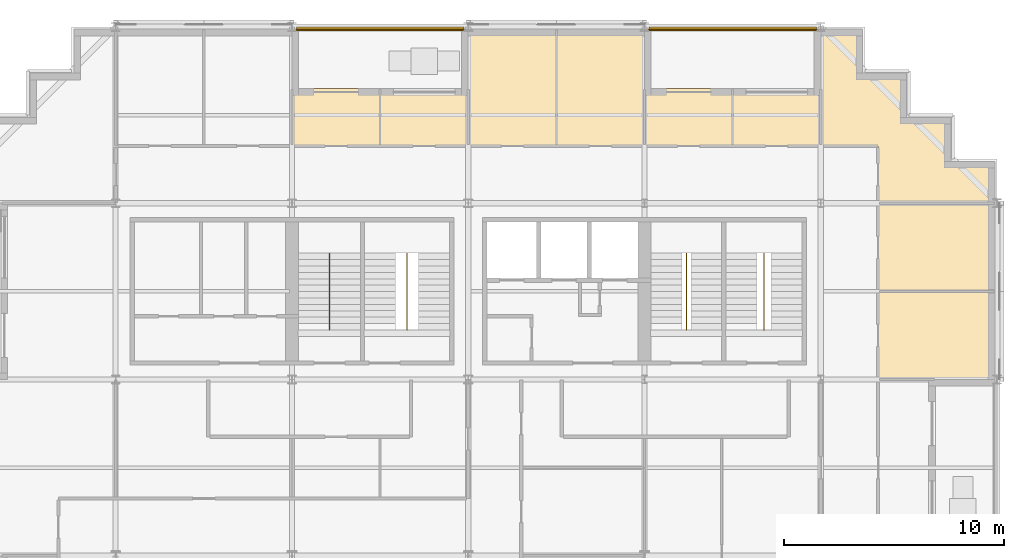
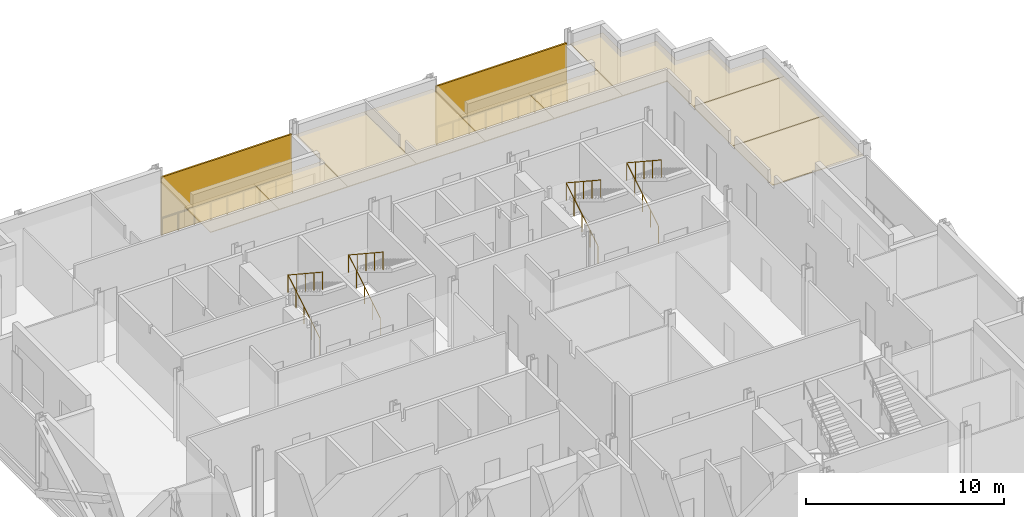
# One storey, part 14 of 15: 9 coverings, 6 railings, 2 shading devices.
"""IFC4 building model written with IfcOpenShell, lengths in metres."""

from ifc_helpers import new_model, si_unit, direction, frame, origin, origin_2d, place, context, subcontext, project, spatial, polyline, rectangle, circle, outline, extrude, material, layer, layer_set, type_object, element, save


model = new_model("IFC4")

# Units and contexts
model_context = context("Model", 3, precision=1e-05, world=origin(), true_north=direction((0.0, 1.0)))
body_context = subcontext(model_context, "Body", "Model", "MODEL_VIEW")
ifc_project = project(units=[si_unit("LENGTHUNIT", "METRE"), si_unit("AREAUNIT", "SQUARE_METRE"), si_unit("VOLUMEUNIT", "CUBIC_METRE"), si_unit("PLANEANGLEUNIT", "RADIAN"), si_unit("MASSUNIT", "GRAM", prefix="KILO")], contexts=[model_context])

# Site, building, storey
site_placement = place(None, origin())
site = spatial("IfcSite", under=ifc_project, at=site_placement, CompositionType="ELEMENT")
building_placement = place(site_placement, origin())
building = spatial("IfcBuilding", under=site, at=building_placement, Name="Immortelle Media Tower", CompositionType="ELEMENT")
storey_placement = place(building_placement, frame((0.0, 0.0, 105.199951171875)))
storey = spatial("IfcBuildingStorey", under=building, at=storey_placement, Name="L20", CompositionType="ELEMENT", Elevation=105.199951171875)

# Railings
ifc_material_1 = material(Name="Powder-coated aluminium fretwork panel, laminated glass backing", Category="aluminium")
railing_type_1 = type_object("IfcRailingType", Name="Fretwork balustrade 1100", PredefinedType="BALUSTRADE", material=ifc_material_1)
railing_1_placement = place(storey_placement, frame((39.8134765625, 47.860107421875, 0.0)))
element("IfcRailing", 1, at=railing_1_placement, inside=storey, type_object=railing_type_1, Name="Fretwork balustrade L20 N0", PredefinedType="BALUSTRADE", context=body_context, shape_type="SweptSolid", body=[
    extrude(circle(Radius=0.02490234375, at=origin_2d()), frame((0.0, 0.0, 1.0751953125), z_axis=(-1.0, 0.0, 0.0), x_axis=(0.0, -1.0, 0.0)), (0.0, 0.0, 1.0), 7.614013671875),
    extrude(circle(Radius=0.02001953125, at=origin_2d()), origin(), (0.0, 0.0, 1.0), 1.050048828125),
    extrude(circle(Radius=0.02001953125, at=origin_2d()), frame((-0.95166015625, 0.0, 0.0)), (0.0, 0.0, 1.0), 1.050048828125),
    extrude(circle(Radius=0.02001953125, at=origin_2d()), frame((-1.903564453125, 0.0, 0.0)), (0.0, 0.0, 1.0), 1.050048828125),
    extrude(circle(Radius=0.02001953125, at=origin_2d()), frame((-2.855224609375, 0.0, 0.0)), (0.0, 0.0, 1.0), 1.050048828125),
    extrude(circle(Radius=0.02001953125, at=origin_2d()), frame((-3.80712890625, 0.0, 0.0)), (0.0, 0.0, 1.0), 1.050048828125),
    extrude(circle(Radius=0.02001953125, at=origin_2d()), frame((-4.7587890625, 0.0, 0.0)), (0.0, 0.0, 1.0), 1.050048828125),
    extrude(circle(Radius=0.02001953125, at=origin_2d()), frame((-5.71044921875, 0.0, 0.0)), (0.0, 0.0, 1.0), 1.050048828125),
    extrude(circle(Radius=0.02001953125, at=origin_2d()), frame((-6.662353515625, 0.0, 0.0)), (0.0, 0.0, 1.0), 1.050048828125),
    extrude(circle(Radius=0.02001953125, at=origin_2d()), frame((-7.614013671875, 0.0, 0.0)), (0.0, 0.0, 1.0), 1.050048828125),
])
railing_2_placement = place(storey_placement, frame((23.800537109375, 47.860107421875, 0.0)))
element("IfcRailing", 2, at=railing_2_placement, inside=storey, type_object=railing_type_1, Name="Fretwork balustrade L20 N2", PredefinedType="BALUSTRADE", context=body_context, shape_type="SweptSolid", body=[
    extrude(circle(Radius=0.02490234375, at=origin_2d()), frame((0.0, 0.0, 1.0751953125), z_axis=(-1.0, 0.0, 0.0), x_axis=(0.0, -1.0, 0.0)), (0.0, 0.0, 1.0), 7.59765625),
    extrude(circle(Radius=0.02001953125, at=origin_2d()), origin(), (0.0, 0.0, 1.0), 1.050048828125),
    extrude(circle(Radius=0.02001953125, at=origin_2d()), frame((-0.94970703125, 0.0, 0.0)), (0.0, 0.0, 1.0), 1.050048828125),
    extrude(circle(Radius=0.02001953125, at=origin_2d()), frame((-1.8994140625, 0.0, 0.0)), (0.0, 0.0, 1.0), 1.050048828125),
    extrude(circle(Radius=0.02001953125, at=origin_2d()), frame((-2.84912109375, 0.0, 0.0)), (0.0, 0.0, 1.0), 1.050048828125),
    extrude(circle(Radius=0.02001953125, at=origin_2d()), frame((-3.798828125, 0.0, 0.0)), (0.0, 0.0, 1.0), 1.050048828125),
    extrude(circle(Radius=0.02001953125, at=origin_2d()), frame((-4.74853515625, 0.0, 0.0)), (0.0, 0.0, 1.0), 1.050048828125),
    extrude(circle(Radius=0.02001953125, at=origin_2d()), frame((-5.6982421875, 0.0, 0.0)), (0.0, 0.0, 1.0), 1.050048828125),
    extrude(circle(Radius=0.02001953125, at=origin_2d()), frame((-6.64794921875, 0.0, 0.0)), (0.0, 0.0, 1.0), 1.050048828125),
    extrude(circle(Radius=0.02001953125, at=origin_2d()), frame((-7.59765625, 0.0, 0.0)), (0.0, 0.0, 1.0), 1.050048828125),
])

# Shading devices
ifc_material_2 = material(Name="Pale aluminium louvre blades", Category="aluminium")
ifc_layer_1 = layer(ifc_material_2, 0.10009765625)
ifc_layer_set_1 = layer_set([ifc_layer_1], Name="Pale aluminium louvre blades")
shading_device_type = type_object("IfcShadingDeviceType", Name="Jalousie screen 100", PredefinedType="JALOUSIE", material=ifc_layer_set_1)
shading_device_1_placement = place(storey_placement, frame((36.006591796875, 47.949951171875, 0.0), z_axis=(0.0, 0.0, 1.0), x_axis=(-1.0, 0.0, 0.0)))
element("IfcShadingDevice", 3, at=shading_device_1_placement, inside=storey, type_object=shading_device_type, Name="Jalousie screen L20 N0", PredefinedType="JALOUSIE", context=body_context, shape_type="SweptSolid", body=[
    extrude(rectangle(XDim=7.614013671875, YDim=0.10009765625, at=origin_2d()), origin(), (0.0, 0.0, 1.0), 3.556884765625),
])
shading_device_2_placement = place(storey_placement, frame((20.001708984375, 47.949951171875, 0.0), z_axis=(0.0, 0.0, 1.0), x_axis=(-1.0, 0.0, 0.0)))
element("IfcShadingDevice", 4, at=shading_device_2_placement, inside=storey, type_object=shading_device_type, Name="Jalousie screen L20 N2", PredefinedType="JALOUSIE", context=body_context, shape_type="SweptSolid", body=[
    extrude(rectangle(XDim=7.597412109375, YDim=0.10009765625, at=origin_2d()), origin(), (0.0, 0.0, 1.0), 3.556884765625),
])

# Railings
ifc_material_3 = material(Name="Stainless steel AISI 316", Category="steel")
railing_type_2 = type_object("IfcRailingType", Name="Stair guard 1100", PredefinedType="GUARDRAIL", material=ifc_material_3)
for number, where, name in (
    (5, (17.699951171875, 34.5400390625, 0.176025390625), "Stair guard NW1"),
    (6, (21.22509765625, 34.5400390625, 0.176025390625), "Stair guard NW2"),
    (7, (33.89990234375, 34.5400390625, 0.176025390625), "Stair guard NE1"),
    (8, (37.425048828125, 34.5400390625, 0.176025390625), "Stair guard NE2"),
):
    element("IfcRailing", number, at=place(storey_placement, frame(where)), inside=storey, type_object=railing_type_2, Name=name, PredefinedType="GUARDRAIL", context=body_context, shape_type="SweptSolid", body=[
        extrude(circle(Radius=0.02392578125, at=origin_2d()), frame((0.0, 0.0, 1.076171875), z_axis=(0.0, 0.854872504309, 0.518838126371), x_axis=(-1.0, 0.0, 0.0)), (0.0, 0.0, 1.0), 3.7314453125),
        extrude(circle(Radius=0.02392578125, at=origin_2d()), frame((0.0, 3.18994140625, 3.01220703125), z_axis=(0.0, -0.835568629342, 0.549386080693), x_axis=(1.0, 0.0, 0.0)), (0.0, 0.0, 1.0), 4.164794921875),
        extrude(circle(Radius=0.02099609375, at=origin_2d()), origin(), (0.0, 0.0, 1.0), 1.052001953125),
        extrude(circle(Radius=0.02099609375, at=origin_2d()), frame((0.0, 0.79736328125, 0.48388671875)), (0.0, 0.0, 1.0), 1.052001953125),
        extrude(circle(Radius=0.02099609375, at=origin_2d()), frame((0.0, 1.594970703125, 0.968017578125)), (0.0, 0.0, 1.0), 1.052001953125),
        extrude(circle(Radius=0.02099609375, at=origin_2d()), frame((0.0, 2.392578125, 1.4521484375)), (0.0, 0.0, 1.0), 1.052001953125),
        extrude(circle(Radius=0.02099609375, at=origin_2d()), frame((0.0, 3.18994140625, 1.93603515625)), (0.0, 0.0, 1.0), 1.052001953125),
        extrude(circle(Radius=0.02099609375, at=origin_2d()), frame((0.0, 2.31982421875, 2.508056640625)), (0.0, 0.0, 1.0), 1.052001953125),
        extrude(circle(Radius=0.02099609375, at=origin_2d()), frame((0.0, 1.449951171875, 3.080078125)), (0.0, 0.0, 1.0), 1.052001953125),
        extrude(circle(Radius=0.02099609375, at=origin_2d()), frame((0.0, 0.580078125, 3.652099609375)), (0.0, 0.0, 1.0), 1.052001953125),
        extrude(circle(Radius=0.02099609375, at=origin_2d()), frame((0.0, -0.2900390625, 4.22412109375)), (0.0, 0.0, 1.0), 1.052001953125),
    ])

# Coverings
ifc_material_4 = material(Name="Mineral fibre tile ceiling")
ifc_layer_2 = layer(ifc_material_4, 0.050048828125)
ifc_layer_set_2 = layer_set([ifc_layer_2], Name="Mineral fibre tile ceiling")
covering_type = type_object("IfcCoveringType", Name="Suspended ceiling 50", PredefinedType="CEILING", material=ifc_layer_set_2)
covering_1_placement = place(storey_placement, frame((0.0, 0.0, 3.420166015625)))
element("IfcCovering", 9, at=covering_1_placement, inside=storey, type_object=covering_type, Name="Ceiling L20-023", PredefinedType="CEILING", context=body_context, shape_type="SweptSolid", body=[
    extrude(outline(polyline([(42.60009765625, 32.0), (42.60009765625, 36.0), (47.89990234375, 36.0), (47.89990234375, 32.0), (45.199951171875, 32.0), (42.60009765625, 32.0)])), origin(), (0.0, 0.0, 1.0), 0.0498046875),
])
covering_2_placement = place(storey_placement, frame((0.0, 0.0, 3.420166015625)))
element("IfcCovering", 10, at=covering_2_placement, inside=storey, type_object=covering_type, Name="Ceiling L20-024", PredefinedType="CEILING", context=body_context, shape_type="SweptSolid", body=[
    extrude(outline(polyline([(42.60009765625, 40.0), (47.89990234375, 40.0), (47.89990234375, 36.0), (42.60009765625, 36.0), (42.60009765625, 40.0)])), origin(), (0.0, 0.0, 1.0), 0.0498046875),
])
covering_3_placement = place(storey_placement, frame((0.0, 0.0, 3.420166015625)))
element("IfcCovering", 11, at=covering_3_placement, inside=storey, type_object=covering_type, Name="Ceiling L20-026", PredefinedType="CEILING", context=body_context, shape_type="SweptSolid", body=[
    extrude(outline(polyline([(45.89990234375, 41.89990234375), (47.89990234375, 41.89990234375), (47.89990234375, 40.0), (44.0, 40.0), (42.60009765625, 40.0), (42.60009765625, 42.60009765625), (40.0, 42.60009765625), (40.0, 45.199951171875), (40.0, 47.89990234375), (41.89990234375, 47.89990234375), (41.89990234375, 45.89990234375), (43.89990234375, 45.89990234375), (43.89990234375, 43.89990234375), (44.0, 43.89990234375), (45.89990234375, 43.89990234375), (45.89990234375, 41.89990234375)])), origin(), (0.0, 0.0, 1.0), 0.0498046875),
])
covering_4_placement = place(storey_placement, frame((0.0, 0.0, 3.420166015625)))
element("IfcCovering", 12, at=covering_4_placement, inside=storey, type_object=covering_type, Name="Ceiling L20-027", PredefinedType="CEILING", context=body_context, shape_type="SweptSolid", body=[
    extrude(outline(polyline([(16.0, 45.199951171875), (20.0, 45.199951171875), (20.0, 42.60009765625), (16.0, 42.60009765625), (16.0, 45.199951171875)])), origin(), (0.0, 0.0, 1.0), 0.0498046875),
])
covering_5_placement = place(storey_placement, frame((0.0, 0.0, 3.420166015625)))
element("IfcCovering", 13, at=covering_5_placement, inside=storey, type_object=covering_type, Name="Ceiling L20-028", PredefinedType="CEILING", context=body_context, shape_type="SweptSolid", body=[
    extrude(outline(polyline([(24.0, 45.199951171875), (24.0, 42.60009765625), (20.0, 42.60009765625), (20.0, 45.199951171875), (24.0, 45.199951171875)])), origin(), (0.0, 0.0, 1.0), 0.0498046875),
])
covering_6_placement = place(storey_placement, frame((0.0, 0.0, 3.420166015625)))
element("IfcCovering", 14, at=covering_6_placement, inside=storey, type_object=covering_type, Name="Ceiling L20-029", PredefinedType="CEILING", context=body_context, shape_type="SweptSolid", body=[
    extrude(outline(polyline([(32.0, 45.199951171875), (36.0, 45.199951171875), (36.0, 42.60009765625), (32.0, 42.60009765625), (32.0, 45.199951171875)])), origin(), (0.0, 0.0, 1.0), 0.0498046875),
])
covering_7_placement = place(storey_placement, frame((0.0, 0.0, 3.420166015625)))
element("IfcCovering", 15, at=covering_7_placement, inside=storey, type_object=covering_type, Name="Ceiling L20-030", PredefinedType="CEILING", context=body_context, shape_type="SweptSolid", body=[
    extrude(outline(polyline([(40.0, 45.199951171875), (40.0, 42.60009765625), (36.0, 42.60009765625), (36.0, 45.199951171875), (40.0, 45.199951171875)])), origin(), (0.0, 0.0, 1.0), 0.0498046875),
])
covering_8_placement = place(storey_placement, frame((0.0, 0.0, 3.420166015625)))
element("IfcCovering", 16, at=covering_8_placement, inside=storey, type_object=covering_type, Name="Ceiling L20-033", PredefinedType="CEILING", context=body_context, shape_type="SweptSolid", body=[
    extrude(outline(polyline([(24.0, 45.199951171875), (24.0, 47.89990234375), (28.0, 47.89990234375), (28.0, 42.60009765625), (24.0, 42.60009765625), (24.0, 45.199951171875)])), origin(), (0.0, 0.0, 1.0), 0.0498046875),
])
covering_9_placement = place(storey_placement, frame((0.0, 0.0, 3.420166015625)))
element("IfcCovering", 17, at=covering_9_placement, inside=storey, type_object=covering_type, Name="Ceiling L20-034", PredefinedType="CEILING", context=body_context, shape_type="SweptSolid", body=[
    extrude(outline(polyline([(32.0, 47.89990234375), (32.0, 45.199951171875), (32.0, 42.60009765625), (28.0, 42.60009765625), (28.0, 47.89990234375), (32.0, 47.89990234375)])), origin(), (0.0, 0.0, 1.0), 0.0498046875),
])

save(model, "model.ifc")
